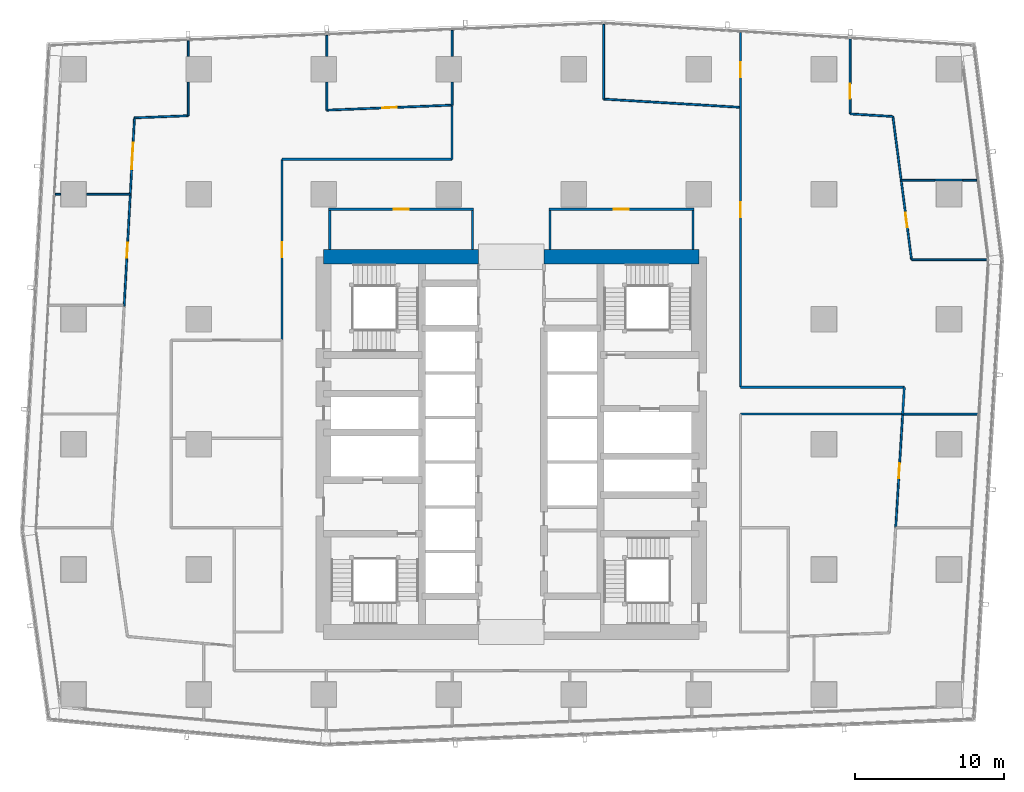
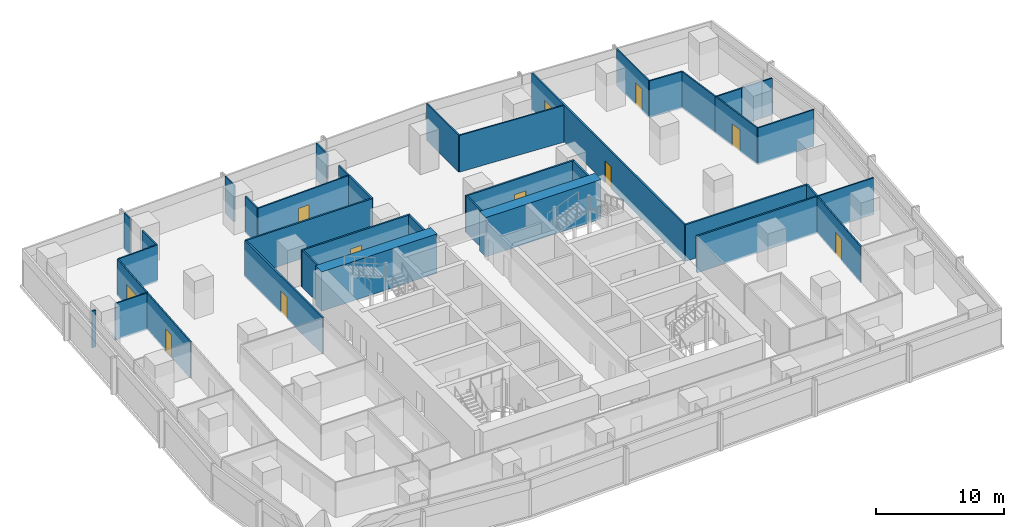
# One storey, part 31 of 40: 39 walls, 11 doors, 11 openings.
"""IFC4 building model written with IfcOpenShell, lengths in metres."""

from ifc_helpers import new_model, si_unit, direction, frame, frame_2d, origin, place, context, subcontext, project, spatial, rectangle, extrude, material, layer, layer_set, type_object, element, fill, save


model = new_model("IFC4")

# Units and contexts
model_context = context("Model", 3, precision=1e-05, world=origin(), true_north=direction((0.0, 1.0)))
body_context = subcontext(model_context, "Body", "Model", "MODEL_VIEW")
ifc_project = project(units=[si_unit("LENGTHUNIT", "METRE"), si_unit("AREAUNIT", "SQUARE_METRE"), si_unit("VOLUMEUNIT", "CUBIC_METRE"), si_unit("PLANEANGLEUNIT", "RADIAN"), si_unit("MASSUNIT", "GRAM", prefix="KILO")], contexts=[model_context])

# Site, building, storey
site_placement = place(None, origin())
site = spatial("IfcSite", under=ifc_project, at=site_placement, CompositionType="ELEMENT")
building_placement = place(site_placement, origin())
building = spatial("IfcBuilding", under=site, at=building_placement, Name="Rekha Terrace Tower", CompositionType="ELEMENT")
storey_placement = place(building_placement, frame((0.0, 0.0, 132.800048828125)))
storey = spatial("IfcBuildingStorey", under=building, at=storey_placement, Name="L33", CompositionType="ELEMENT", Elevation=132.800048828125)

# Walls
ifc_material_1 = material(Name="Concrete M70", Category="concrete")
ifc_layer_1 = layer(ifc_material_1, 1.0)
ifc_layer_set_1 = layer_set([ifc_layer_1], Name="Concrete M70")
wall_type_1 = type_object("IfcWallType", Name="SW2 1000 core outer shear wall", PredefinedType="SHEAR", material=ifc_layer_set_1)
wall_1_placement = place(storey_placement, frame((25.199951171875, 46.199951171875, 0.0), z_axis=(0.0, 0.0, 1.0), x_axis=(1.0, 0.0, 0.0)))
element("IfcWall", 1, at=wall_1_placement, inside=storey, type_object=wall_type_1, Name="Core wall N1 L33", PredefinedType="SHEAR", context=body_context, shape_type="SweptSolid", body=[
    extrude(rectangle(XDim=10.400146484375, YDim=1.0, at=frame_2d((5.2001953125, 0.0))), origin(), (0.0, 0.0, 1.0), 3.75),
])
wall_2_placement = place(storey_placement, frame((40.0, 46.199951171875, 0.0), z_axis=(0.0, 0.0, 1.0), x_axis=(1.0, 0.0, 0.0)))
element("IfcWall", 2, at=wall_2_placement, inside=storey, type_object=wall_type_1, Name="Core wall N2 L33", PredefinedType="SHEAR", context=body_context, shape_type="SweptSolid", body=[
    extrude(rectangle(XDim=10.39990234375, YDim=1.0, at=frame_2d((5.199951171875, 0.0))), origin(), (0.0, 0.0, 1.0), 3.75),
])

# Wall, opening, door
ifc_material_2 = material(Name="Concrete block masonry, 1 hour", Category="masonry")
ifc_layer_2 = layer(ifc_material_2, 0.14990234375)
ifc_layer_set_2 = layer_set([ifc_layer_2], Name="Concrete block masonry, 1 hour")
wall_type_2 = type_object("IfcWallType", Name="WP2 150 tenancy partition", PredefinedType="PARTITIONING", material=ifc_layer_set_2)
wall_3_placement = place(storey_placement, frame((40.324951171875, 49.39990234375, 0.0), z_axis=(0.0, 0.0, 1.0), x_axis=(1.0, 0.0, 0.0)))
wall_3 = element("IfcWall", 3, at=wall_3_placement, inside=storey, type_object=wall_type_2, Name="Women's WC wall L33", PredefinedType="PARTITIONING", context=body_context, shape_type="SweptSolid", body=[
    extrude(rectangle(XDim=9.75, YDim=0.14990234375, at=frame_2d((4.875, 0.0))), origin(), (0.0, 0.0, 1.0), 3.5),
])
opening_1_placement = place(wall_3_placement, frame((4.375, 0.0, 0.0)))
opening_1 = element("IfcOpeningElement", 4, at=opening_1_placement, cuts=wall_3, Name="Opening D3", PredefinedType="OPENING", context=body_context, shape_type="SweptSolid", body=[
    extrude(rectangle(XDim=1.0, YDim=2.10009765625, at=frame_2d((0.5, 1.050048828125))), frame((0.0, 0.0849609375, 0.0), z_axis=(0.0, -1.0, 0.0), x_axis=(1.0, 0.0, 0.0)), (0.0, 0.0, 1.0), 0.169921875),
])
ifc_material_3 = material(Name="Laminated timber fire door", Category="wood")
door_type_1 = type_object("IfcDoorType", Name="D3 1000x2100 WC door", OperationType="SINGLE_SWING_LEFT", PredefinedType="DOOR", material=ifc_material_3)
door_1_placement = place(opening_1_placement, origin())
door_1 = element("IfcDoor", 5, at=door_1_placement, inside=storey, type_object=door_type_1, Name="Door women's wc L33", OperationType="SINGLE_SWING_LEFT", OverallHeight=2.10009765625, OverallWidth=1.0, PredefinedType="DOOR", context=body_context, shape_type="SweptSolid", body=[
    extrude(rectangle(XDim=1.0, YDim=2.10009765625, at=frame_2d((0.5, 1.050048828125))), frame((0.0, 0.02490234375, 0.0), z_axis=(0.0, -1.0, 0.0), x_axis=(1.0, 0.0, 0.0)), (0.0, 0.0, 1.0), 0.050048828125),
])
fill(opening_1, door_1)

# Walls
for number, where, z_axis, x_axis, name in (
    (6, (40.39990234375, 46.699951171875, 0.0), (0.0, 0.0, 1.0), (0.0, 1.0, 0.0), "Women's WC wall L33"),
    (7, (50.0, 46.699951171875, 0.0), (0.0, 0.0, 1.0), (0.0, 1.0, 0.0), "Women's WC wall L33"),
):
    element("IfcWall", number, at=place(storey_placement, frame(where, z_axis=z_axis, x_axis=x_axis)), inside=storey, type_object=wall_type_2, Name=name, PredefinedType="PARTITIONING", context=body_context, shape_type="SweptSolid", body=[
        extrude(rectangle(XDim=2.625, YDim=0.14990234375, at=frame_2d((1.3125, 0.0))), origin(), (0.0, 0.0, 1.0), 3.5),
    ])

# Wall, opening, door
wall_4_placement = place(storey_placement, frame((25.52490234375, 49.39990234375, 0.0), z_axis=(0.0, 0.0, 1.0), x_axis=(1.0, 0.0, 0.0)))
wall_4 = element("IfcWall", 8, at=wall_4_placement, inside=storey, type_object=wall_type_2, Name="Women's WC wall L33", PredefinedType="PARTITIONING", context=body_context, shape_type="SweptSolid", body=[
    extrude(rectangle(XDim=9.75, YDim=0.14990234375, at=frame_2d((4.875, 0.0))), origin(), (0.0, 0.0, 1.0), 3.5),
])
opening_2_placement = place(wall_4_placement, frame((4.375, 0.0, 0.0)))
opening_2 = element("IfcOpeningElement", 9, at=opening_2_placement, cuts=wall_4, Name="Opening D3", PredefinedType="OPENING", context=body_context, shape_type="SweptSolid", body=[
    extrude(rectangle(XDim=1.0, YDim=2.10009765625, at=frame_2d((0.5, 1.050048828125))), frame((0.0, 0.0849609375, 0.0), z_axis=(0.0, -1.0, 0.0), x_axis=(1.0, 0.0, 0.0)), (0.0, 0.0, 1.0), 0.169921875),
])
door_2_placement = place(opening_2_placement, origin())
door_2 = element("IfcDoor", 10, at=door_2_placement, inside=storey, type_object=door_type_1, Name="Door women's wc L33", OperationType="SINGLE_SWING_LEFT", OverallHeight=2.10009765625, OverallWidth=1.0, PredefinedType="DOOR", context=body_context, shape_type="SweptSolid", body=[
    extrude(rectangle(XDim=1.0, YDim=2.10009765625, at=frame_2d((0.5, 1.050048828125))), frame((0.0, 0.02490234375, 0.0), z_axis=(0.0, -1.0, 0.0), x_axis=(1.0, 0.0, 0.0)), (0.0, 0.0, 1.0), 0.050048828125),
])
fill(opening_2, door_2)

# Walls
for number, where, z_axis, x_axis, name in (
    (11, (25.60009765625, 46.699951171875, 0.0), (0.0, 0.0, 1.0), (0.0, 1.0, 0.0), "Women's WC wall L33"),
    (12, (35.199951171875, 46.699951171875, 0.0), (0.0, 0.0, 1.0), (0.0, 1.0, 0.0), "Women's WC wall L33"),
):
    element("IfcWall", number, at=place(storey_placement, frame(where, z_axis=z_axis, x_axis=x_axis)), inside=storey, type_object=wall_type_2, Name=name, PredefinedType="PARTITIONING", context=body_context, shape_type="SweptSolid", body=[
        extrude(rectangle(XDim=2.625, YDim=0.14990234375, at=frame_2d((1.3125, 0.0))), origin(), (0.0, 0.0, 1.0), 3.5),
    ])
wall_5_placement = place(storey_placement, frame((64.093017578125, 35.636962890625, 0.0), z_axis=(0.0, 0.0, 1.0), x_axis=(0.060920139636, 0.998142643407, 0.0)))
element("IfcWall", 13, at=wall_5_placement, inside=storey, type_object=wall_type_2, Name="Partition L33-O1", PredefinedType="PARTITIONING", context=body_context, shape_type="SweptSolid", body=[
    extrude(rectangle(XDim=1.803466796875, YDim=0.14990234375, at=frame_2d((0.90185546875, 0.0))), origin(), (0.0, 0.0, 1.0), 3.5),
])
wall_6_placement = place(storey_placement, frame((64.202880859375, 37.43701171875, 0.0), z_axis=(0.0, 0.0, 1.0), x_axis=(-1.0, 0.0, 0.0)))
element("IfcWall", 14, at=wall_6_placement, inside=storey, type_object=wall_type_2, Name="Partition L33-O1", PredefinedType="PARTITIONING", context=body_context, shape_type="SweptSolid", body=[
    extrude(rectangle(XDim=11.001953125, YDim=0.14990234375, at=frame_2d((5.5009765625, 0.0))), origin(), (0.0, 0.0, 1.0), 3.5),
])

# Wall, openings, doors
wall_7_placement = place(storey_placement, frame((53.200927734375, 37.43701171875, 0.0), z_axis=(0.0, 0.0, 1.0), x_axis=(0.0, 1.0, 0.0)))
wall_7 = element("IfcWall", 15, at=wall_7_placement, inside=storey, type_object=wall_type_2, Name="Partition L33-O1", PredefinedType="PARTITIONING", context=body_context, shape_type="SweptSolid", body=[
    extrude(rectangle(XDim=23.83203125, YDim=0.14990234375, at=frame_2d((11.916015625, 0.0))), origin(), (0.0, 0.0, 1.0), 3.5),
])
opening_3_placement = place(wall_7_placement, frame((11.416015625, 0.0, 0.0)))
opening_3 = element("IfcOpeningElement", 16, at=opening_3_placement, cuts=wall_7, Name="Opening D9", PredefinedType="OPENING", context=body_context, shape_type="SweptSolid", body=[
    extrude(rectangle(XDim=1.0, YDim=2.10009765625, at=frame_2d((0.5, 1.050048828125))), frame((0.0, 0.0849609375, 0.0), z_axis=(0.0, -1.0, 0.0), x_axis=(1.0, 0.0, 0.0)), (0.0, 0.0, 1.0), 0.169921875),
])
opening_4_placement = place(wall_7_placement, frame((20.818115234375, 0.0, 0.0)))
opening_4 = element("IfcOpeningElement", 17, at=opening_4_placement, cuts=wall_7, Name="Opening D9", PredefinedType="OPENING", context=body_context, shape_type="SweptSolid", body=[
    extrude(rectangle(XDim=1.0, YDim=2.10009765625, at=frame_2d((0.5, 1.050048828125))), frame((0.0, 0.0849609375, 0.0), z_axis=(0.0, -1.0, 0.0), x_axis=(1.0, 0.0, 0.0)), (0.0, 0.0, 1.0), 0.169921875),
])
ifc_material_4 = material(Name="Timber fire door", Category="wood")
door_type_2 = type_object("IfcDoorType", Name="D9 1000x2100 office door", OperationType="SINGLE_SWING_LEFT", PredefinedType="DOOR", material=ifc_material_4)
door_3_placement = place(opening_3_placement, origin())
door_3 = element("IfcDoor", 18, at=door_3_placement, inside=storey, type_object=door_type_2, Name="Door open-plan office L33", OperationType="SINGLE_SWING_LEFT", OverallHeight=2.10009765625, OverallWidth=1.0, PredefinedType="DOOR", context=body_context, shape_type="SweptSolid", body=[
    extrude(rectangle(XDim=1.0, YDim=2.10009765625, at=frame_2d((0.5, 1.050048828125))), frame((0.0, 0.02490234375, 0.0), z_axis=(0.0, -1.0, 0.0), x_axis=(1.0, 0.0, 0.0)), (0.0, 0.0, 1.0), 0.050048828125),
])
fill(opening_3, door_3)
door_4_placement = place(opening_4_placement, origin())
door_4 = element("IfcDoor", 19, at=door_4_placement, inside=storey, type_object=door_type_2, Name="Door office L33", OperationType="SINGLE_SWING_LEFT", OverallHeight=2.10009765625, OverallWidth=1.0, PredefinedType="DOOR", context=body_context, shape_type="SweptSolid", body=[
    extrude(rectangle(XDim=1.0, YDim=2.10009765625, at=frame_2d((0.5, 1.050048828125))), frame((0.0, 0.02490234375, 0.0), z_axis=(0.0, -1.0, 0.0), x_axis=(1.0, 0.0, 0.0)), (0.0, 0.0, 1.0), 0.050048828125),
])
fill(opening_4, door_4)

# Walls
wall_8_placement = place(storey_placement, frame((66.260009765625, 51.35498046875, 0.0), z_axis=(0.0, 0.0, 1.0), x_axis=(1.0, 0.0, 0.0)))
element("IfcWall", 20, at=wall_8_placement, inside=storey, type_object=wall_type_2, Name="Partition L33-O1", PredefinedType="PARTITIONING", context=body_context, shape_type="SweptSolid", body=[
    extrude(rectangle(XDim=1.8798828125, YDim=0.14990234375, at=frame_2d((0.93994140625, 0.0))), origin(), (0.0, 0.0, 1.0), 3.5),
])
wall_9_placement = place(storey_placement, frame((53.199951171875, 35.636962890625, 0.0), z_axis=(0.0, 0.0, 1.0), x_axis=(1.0, 0.0, 0.0)))
element("IfcWall", 21, at=wall_9_placement, inside=storey, type_object=wall_type_2, Name="Partition L33-O1", PredefinedType="PARTITIONING", context=body_context, shape_type="SweptSolid", body=[
    extrude(rectangle(XDim=10.89306640625, YDim=0.14990234375, at=frame_2d((5.446533203125, 0.0))), origin(), (0.0, 0.0, 1.0), 3.5),
])
wall_10_placement = place(storey_placement, frame((33.825927734375, 56.323974609375, 0.0), z_axis=(0.0, 0.0, 1.0), x_axis=(0.0, -1.0, 0.0)))
element("IfcWall", 22, at=wall_10_placement, inside=storey, type_object=wall_type_2, Name="Partition L33-O2", PredefinedType="PARTITIONING", context=body_context, shape_type="SweptSolid", body=[
    extrude(rectangle(XDim=3.573974609375, YDim=0.14990234375, at=frame_2d((1.787109375, 0.0))), origin(), (0.0, 0.0, 1.0), 3.5),
])
wall_11_placement = place(storey_placement, frame((33.825927734375, 52.75, 0.0), z_axis=(0.0, 0.0, 1.0), x_axis=(-1.0, 0.0, 0.0)))
element("IfcWall", 23, at=wall_11_placement, inside=storey, type_object=wall_type_2, Name="Partition L33-O2", PredefinedType="PARTITIONING", context=body_context, shape_type="SweptSolid", body=[
    extrude(rectangle(XDim=11.426025390625, YDim=0.14990234375, at=frame_2d((5.712890625, 0.0))), origin(), (0.0, 0.0, 1.0), 3.5),
])

# Wall, opening, door
wall_12_placement = place(storey_placement, frame((22.39990234375, 52.75, 0.0), z_axis=(0.0, 0.0, 1.0), x_axis=(0.0, -1.0, 0.0)))
wall_12 = element("IfcWall", 24, at=wall_12_placement, inside=storey, type_object=wall_type_2, Name="Partition L33-O2", PredefinedType="PARTITIONING", context=body_context, shape_type="SweptSolid", body=[
    extrude(rectangle(XDim=12.14990234375, YDim=0.14990234375, at=frame_2d((6.074951171875, 0.0))), origin(), (0.0, 0.0, 1.0), 3.5),
])
opening_5_placement = place(wall_12_placement, frame((5.574951171875, 0.0, 0.0)))
opening_5 = element("IfcOpeningElement", 25, at=opening_5_placement, cuts=wall_12, Name="Opening D9", PredefinedType="OPENING", context=body_context, shape_type="SweptSolid", body=[
    extrude(rectangle(XDim=1.0, YDim=2.10009765625, at=frame_2d((0.5, 1.050048828125))), frame((0.0, 0.0849609375, 0.0), z_axis=(0.0, -1.0, 0.0), x_axis=(1.0, 0.0, 0.0)), (0.0, 0.0, 1.0), 0.169921875),
])
door_5_placement = place(opening_5_placement, origin())
door_5 = element("IfcDoor", 26, at=door_5_placement, inside=storey, type_object=door_type_2, Name="Door open-plan office L33", OperationType="SINGLE_SWING_LEFT", OverallHeight=2.10009765625, OverallWidth=1.0, PredefinedType="DOOR", context=body_context, shape_type="SweptSolid", body=[
    extrude(rectangle(XDim=1.0, YDim=2.10009765625, at=frame_2d((0.5, 1.050048828125))), frame((0.0, 0.02490234375, 0.0), z_axis=(0.0, -1.0, 0.0), x_axis=(1.0, 0.0, 0.0)), (0.0, 0.0, 1.0), 0.050048828125),
])
fill(opening_5, door_5)

ifc_material_5 = material(Name="Two layers of fire-rated gypsum board each side on steel studs, acoustic quilt, 1 hour", Category="steel")
ifc_layer_3 = layer(ifc_material_5, 0.125)
ifc_layer_set_3 = layer_set([ifc_layer_3], Name="Two layers of fire-rated gypsum board each side on steel studs, acoustic quilt, 1 hour")
wall_type_3 = type_object("IfcWallType", Name="WP3 125 office partition", PredefinedType="PARTITIONING", material=ifc_layer_set_3)
wall_13_placement = place(storey_placement, frame((63.625, 27.9970703125, 0.0), z_axis=(0.0, 0.0, 1.0), x_axis=(0.061176245149, 0.998126979412, 0.0)))
wall_13 = element("IfcWall", 27, at=wall_13_placement, inside=storey, type_object=wall_type_3, Name="Partition L33-05", PredefinedType="PARTITIONING", context=body_context, shape_type="SweptSolid", body=[
    extrude(rectangle(XDim=7.650390625, YDim=0.125, at=frame_2d((3.8251953125, 0.0))), origin(), (0.0, 0.0, 1.0), 3.5),
])
opening_6_placement = place(wall_13_placement, frame((3.324951171875, 0.0, 0.0)))
opening_6 = element("IfcOpeningElement", 28, at=opening_6_placement, cuts=wall_13, Name="Opening D9", PredefinedType="OPENING", context=body_context, shape_type="SweptSolid", body=[
    extrude(rectangle(XDim=1.0, YDim=2.10009765625, at=frame_2d((0.5, 1.050048828125))), frame((0.0, 0.072509765625, 0.0), z_axis=(0.0, -1.0, 0.0), x_axis=(1.0, 0.0, 0.0)), (0.0, 0.0, 1.0), 0.14501953125),
])
door_6_placement = place(opening_6_placement, origin())
door_6 = element("IfcDoor", 29, at=door_6_placement, inside=storey, type_object=door_type_2, Name="Door office L33", OperationType="SINGLE_SWING_LEFT", OverallHeight=2.10009765625, OverallWidth=1.0, PredefinedType="DOOR", context=body_context, shape_type="SweptSolid", body=[
    extrude(rectangle(XDim=1.0, YDim=2.10009765625, at=frame_2d((0.5, 1.050048828125))), frame((0.0, 0.02490234375, 0.0), z_axis=(0.0, -1.0, 0.0), x_axis=(1.0, 0.0, 0.0)), (0.0, 0.0, 1.0), 0.050048828125),
])
fill(opening_6, door_6)

# Walls
wall_14_placement = place(storey_placement, frame((64.093017578125, 35.633056640625, 0.0), z_axis=(0.0, 0.0, 1.0), x_axis=(1.0, 0.0, 0.0)))
element("IfcWall", 30, at=wall_14_placement, inside=storey, type_object=wall_type_3, Name="Partition L33-05", PredefinedType="PARTITIONING", context=body_context, shape_type="SweptSolid", body=[
    extrude(rectangle(XDim=5.05908203125, YDim=0.125, at=frame_2d((2.529541015625, 0.0))), origin(), (0.0, 0.0, 1.0), 3.5),
])
wall_15_placement = place(storey_placement, frame((69.7509765625, 46.00390625, 0.0), z_axis=(0.0, 0.0, 1.0), x_axis=(-1.0, 0.0, 0.0)))
element("IfcWall", 31, at=wall_15_placement, inside=storey, type_object=wall_type_3, Name="Partition L33-06", PredefinedType="PARTITIONING", context=body_context, shape_type="SweptSolid", body=[
    extrude(rectangle(XDim=5.06201171875, YDim=0.125, at=frame_2d((2.531005859375, 0.0))), origin(), (0.0, 0.0, 1.0), 3.5),
])

# Wall, opening, door
wall_16_placement = place(storey_placement, frame((64.68896484375, 46.00390625, 0.0), z_axis=(0.0, 0.0, 1.0), x_axis=(-0.129216941745, 0.991616348174, 0.0)))
wall_16 = element("IfcWall", 32, at=wall_16_placement, inside=storey, type_object=wall_type_3, Name="Partition L33-06", PredefinedType="PARTITIONING", context=body_context, shape_type="SweptSolid", body=[
    extrude(rectangle(XDim=5.379150390625, YDim=0.125, at=frame_2d((2.689453125, 0.0))), origin(), (0.0, 0.0, 1.0), 3.5),
])
opening_7_placement = place(wall_16_placement, frame((2.18994140625, 0.0, 0.0)))
opening_7 = element("IfcOpeningElement", 33, at=opening_7_placement, cuts=wall_16, Name="Opening D9", PredefinedType="OPENING", context=body_context, shape_type="SweptSolid", body=[
    extrude(rectangle(XDim=1.0, YDim=2.10009765625, at=frame_2d((0.5, 1.050048828125))), frame((0.0, 0.072509765625, 0.0), z_axis=(0.0, -1.0, 0.0), x_axis=(1.0, 0.0, 0.0)), (0.0, 0.0, 1.0), 0.14501953125),
])
door_7_placement = place(opening_7_placement, origin())
door_7 = element("IfcDoor", 34, at=door_7_placement, inside=storey, type_object=door_type_2, Name="Door office L33", OperationType="SINGLE_SWING_LEFT", OverallHeight=2.10009765625, OverallWidth=1.0, PredefinedType="DOOR", context=body_context, shape_type="SweptSolid", body=[
    extrude(rectangle(XDim=1.0, YDim=2.10009765625, at=frame_2d((0.5, 1.050048828125))), frame((0.0, 0.02490234375, 0.0), z_axis=(0.0, -1.0, 0.0), x_axis=(1.0, 0.0, 0.0)), (0.0, 0.0, 1.0), 0.050048828125),
])
fill(opening_7, door_7)

# Walls
wall_17_placement = place(storey_placement, frame((63.993896484375, 51.337890625, 0.0), z_axis=(0.0, 0.0, 1.0), x_axis=(1.0, 0.0, 0.0)))
element("IfcWall", 35, at=wall_17_placement, inside=storey, type_object=wall_type_3, Name="Partition L33-06", PredefinedType="PARTITIONING", context=body_context, shape_type="SweptSolid", body=[
    extrude(rectangle(XDim=2.26611328125, YDim=0.125, at=frame_2d((1.133056640625, 0.0))), origin(), (0.0, 0.0, 1.0), 3.5),
])
wall_18_placement = place(storey_placement, frame((68.139892578125, 51.337890625, 0.0), z_axis=(0.0, 0.0, 1.0), x_axis=(1.0, 0.0, 0.0)))
element("IfcWall", 36, at=wall_18_placement, inside=storey, type_object=wall_type_3, Name="Partition L33-06", PredefinedType="PARTITIONING", context=body_context, shape_type="SweptSolid", body=[
    extrude(rectangle(XDim=0.9169921875, YDim=0.125, at=frame_2d((0.45849609375, 0.0))), origin(), (0.0, 0.0, 1.0), 3.5),
])

# Wall, opening, door
wall_19_placement = place(storey_placement, frame((60.56201171875, 55.798095703125, 0.0), z_axis=(0.0, 0.0, 1.0), x_axis=(0.0, 1.0, 0.0)))
wall_19 = element("IfcWall", 37, at=wall_19_placement, inside=storey, type_object=wall_type_3, Name="Partition L33-07", PredefinedType="PARTITIONING", context=body_context, shape_type="SweptSolid", body=[
    extrude(rectangle(XDim=5.02880859375, YDim=0.125, at=frame_2d((2.514404296875, 0.0))), origin(), (0.0, 0.0, 1.0), 3.5),
])
opening_8_placement = place(wall_19_placement, frame((1.013916015625, 0.0, 0.0)))
opening_8 = element("IfcOpeningElement", 38, at=opening_8_placement, cuts=wall_19, Name="Opening D9", PredefinedType="OPENING", context=body_context, shape_type="SweptSolid", body=[
    extrude(rectangle(XDim=1.0, YDim=2.10009765625, at=frame_2d((0.5, 1.050048828125))), frame((0.0, 0.072509765625, 0.0), z_axis=(0.0, -1.0, 0.0), x_axis=(1.0, 0.0, 0.0)), (0.0, 0.0, 1.0), 0.14501953125),
])
door_8_placement = place(opening_8_placement, origin())
door_8 = element("IfcDoor", 39, at=door_8_placement, inside=storey, type_object=door_type_2, Name="Door director's office L33", OperationType="SINGLE_SWING_LEFT", OverallHeight=2.10009765625, OverallWidth=1.0, PredefinedType="DOOR", context=body_context, shape_type="SweptSolid", body=[
    extrude(rectangle(XDim=1.0, YDim=2.10009765625, at=frame_2d((0.5, 1.050048828125))), frame((0.0, 0.02490234375, 0.0), z_axis=(0.0, -1.0, 0.0), x_axis=(1.0, 0.0, 0.0)), (0.0, 0.0, 1.0), 0.050048828125),
])
fill(opening_8, door_8)

# Walls
wall_20_placement = place(storey_placement, frame((63.993896484375, 51.339111328125, 0.0), z_axis=(0.0, 0.0, 1.0), x_axis=(-0.129073541997, 0.991635023966, 0.0)))
element("IfcWall", 40, at=wall_20_placement, inside=storey, type_object=wall_type_3, Name="Partition L33-07", PredefinedType="PARTITIONING", context=body_context, shape_type="SweptSolid", body=[
    extrude(rectangle(XDim=4.322021484375, YDim=0.125, at=frame_2d((2.1611328125, 0.0))), origin(), (0.0, 0.0, 1.0), 3.5),
])
wall_21_placement = place(storey_placement, frame((63.43603515625, 55.625, 0.0), z_axis=(0.0, 0.0, 1.0), x_axis=(-0.998191233869, 0.060118721102, 0.0)))
element("IfcWall", 41, at=wall_21_placement, inside=storey, type_object=wall_type_3, Name="Partition L33-07", PredefinedType="PARTITIONING", context=body_context, shape_type="SweptSolid", body=[
    extrude(rectangle(XDim=2.879150390625, YDim=0.125, at=frame_2d((1.439453125, 0.0))), origin(), (0.0, 0.0, 1.0), 3.5),
])
wall_22_placement = place(storey_placement, frame((53.1259765625, 56.243896484375, 0.0), z_axis=(0.0, 0.0, 1.0), x_axis=(-0.998193391512, 0.060082885599, 0.0)))
element("IfcWall", 42, at=wall_22_placement, inside=storey, type_object=wall_type_3, Name="Partition L33-10", PredefinedType="PARTITIONING", context=body_context, shape_type="SweptSolid", body=[
    extrude(rectangle(XDim=9.138671875, YDim=0.125, at=frame_2d((4.5693359375, 0.0))), origin(), (0.0, 0.0, 1.0), 3.5),
])
wall_23_placement = place(storey_placement, frame((44.00390625, 56.79296875, 0.0), z_axis=(0.0, 0.0, 1.0), x_axis=(0.0, 1.0, 0.0)))
element("IfcWall", 43, at=wall_23_placement, inside=storey, type_object=wall_type_3, Name="Partition L33-10", PredefinedType="PARTITIONING", context=body_context, shape_type="SweptSolid", body=[
    extrude(rectangle(XDim=5.026123046875, YDim=0.125, at=frame_2d((2.51318359375, 0.0))), origin(), (0.0, 0.0, 1.0), 3.5),
])

# Wall, opening, door
wall_24_placement = place(storey_placement, frame((33.826904296875, 56.386962890625, 0.0), z_axis=(0.0, 0.0, 1.0), x_axis=(-0.999199058446, -0.04001551701, 0.0)))
wall_24 = element("IfcWall", 44, at=wall_24_placement, inside=storey, type_object=wall_type_3, Name="Partition L33-11", PredefinedType="PARTITIONING", context=body_context, shape_type="SweptSolid", body=[
    extrude(rectangle(XDim=8.419677734375, YDim=0.125, at=frame_2d((4.2099609375, 0.0))), origin(), (0.0, 0.0, 1.0), 3.5),
])
opening_9_placement = place(wall_24_placement, frame((3.7099609375, 0.0, 0.0)))
opening_9 = element("IfcOpeningElement", 45, at=opening_9_placement, cuts=wall_24, Name="Opening D9", PredefinedType="OPENING", context=body_context, shape_type="SweptSolid", body=[
    extrude(rectangle(XDim=1.0, YDim=2.10009765625, at=frame_2d((0.5, 1.050048828125))), frame((0.0, 0.072509765625, 0.0), z_axis=(0.0, -1.0, 0.0), x_axis=(1.0, 0.0, 0.0)), (0.0, 0.0, 1.0), 0.14501953125),
])
door_9_placement = place(opening_9_placement, origin())
door_9 = element("IfcDoor", 46, at=door_9_placement, inside=storey, type_object=door_type_2, Name="Door office L33", OperationType="SINGLE_SWING_LEFT", OverallHeight=2.10009765625, OverallWidth=1.0, PredefinedType="DOOR", context=body_context, shape_type="SweptSolid", body=[
    extrude(rectangle(XDim=1.0, YDim=2.10009765625, at=frame_2d((0.5, 1.050048828125))), frame((0.0, 0.02490234375, 0.0), z_axis=(0.0, -1.0, 0.0), x_axis=(1.0, 0.0, 0.0)), (0.0, 0.0, 1.0), 0.050048828125),
])
fill(opening_9, door_9)

# Walls
wall_25_placement = place(storey_placement, frame((25.4140625, 56.050048828125, 0.0), z_axis=(0.0, 0.0, 1.0), x_axis=(0.0, 1.0, 0.0)))
element("IfcWall", 47, at=wall_25_placement, inside=storey, type_object=wall_type_3, Name="Partition L33-11", PredefinedType="PARTITIONING", context=body_context, shape_type="SweptSolid", body=[
    extrude(rectangle(XDim=1.8798828125, YDim=0.125, at=frame_2d((0.93994140625, 0.0))), origin(), (0.0, 0.0, 1.0), 3.5),
])
wall_26_placement = place(storey_placement, frame((25.4140625, 59.669921875, 0.0), z_axis=(0.0, 0.0, 1.0), x_axis=(0.0, 1.0, 0.0)))
element("IfcWall", 48, at=wall_26_placement, inside=storey, type_object=wall_type_3, Name="Partition L33-11", PredefinedType="PARTITIONING", context=body_context, shape_type="SweptSolid", body=[
    extrude(rectangle(XDim=1.404052734375, YDim=0.125, at=frame_2d((0.7021484375, 0.0))), origin(), (0.0, 0.0, 1.0), 3.5),
])
wall_27_placement = place(storey_placement, frame((33.826904296875, 61.410888671875, 0.0), z_axis=(0.0, 0.0, 1.0), x_axis=(0.0, -1.0, 0.0)))
element("IfcWall", 49, at=wall_27_placement, inside=storey, type_object=wall_type_3, Name="Partition L33-11", PredefinedType="PARTITIONING", context=body_context, shape_type="SweptSolid", body=[
    extrude(rectangle(XDim=1.740966796875, YDim=0.125, at=frame_2d((0.87060546875, 0.0))), origin(), (0.0, 0.0, 1.0), 3.5),
])
wall_28_placement = place(storey_placement, frame((33.826904296875, 57.929931640625, 0.0), z_axis=(0.0, 0.0, 1.0), x_axis=(0.0, -1.0, 0.0)))
element("IfcWall", 50, at=wall_28_placement, inside=storey, type_object=wall_type_3, Name="Partition L33-11", PredefinedType="PARTITIONING", context=body_context, shape_type="SweptSolid", body=[
    extrude(rectangle(XDim=1.54296875, YDim=0.125, at=frame_2d((0.771484375, 0.0))), origin(), (0.0, 0.0, 1.0), 3.5),
])
wall_29_placement = place(storey_placement, frame((16.10107421875, 60.699951171875, 0.0), z_axis=(0.0, 0.0, 1.0), x_axis=(0.0, -1.0, 0.0)))
element("IfcWall", 51, at=wall_29_placement, inside=storey, type_object=wall_type_3, Name="Partition L33-12", PredefinedType="PARTITIONING", context=body_context, shape_type="SweptSolid", body=[
    extrude(rectangle(XDim=1.030029296875, YDim=0.125, at=frame_2d((0.51513671875, 0.0))), origin(), (0.0, 0.0, 1.0), 3.5),
])
wall_30_placement = place(storey_placement, frame((16.10107421875, 57.929931640625, 0.0), z_axis=(0.0, 0.0, 1.0), x_axis=(0.0, -1.0, 0.0)))
element("IfcWall", 52, at=wall_30_placement, inside=storey, type_object=wall_type_3, Name="Partition L33-12", PredefinedType="PARTITIONING", context=body_context, shape_type="SweptSolid", body=[
    extrude(rectangle(XDim=2.25390625, YDim=0.125, at=frame_2d((1.126953125, 0.0))), origin(), (0.0, 0.0, 1.0), 3.5),
])
wall_31_placement = place(storey_placement, frame((16.10107421875, 55.676025390625, 0.0), z_axis=(0.0, 0.0, 1.0), x_axis=(-0.999204947676, -0.039868189567, 0.0)))
element("IfcWall", 53, at=wall_31_placement, inside=storey, type_object=wall_type_3, Name="Partition L33-12", PredefinedType="PARTITIONING", context=body_context, shape_type="SweptSolid", body=[
    extrude(rectangle(XDim=3.613037109375, YDim=0.125, at=frame_2d((1.806640625, 0.0))), origin(), (0.0, 0.0, 1.0), 3.5),
])

# Wall, opening, door
wall_32_placement = place(storey_placement, frame((12.490966796875, 55.531982421875, 0.0), z_axis=(0.0, 0.0, 1.0), x_axis=(-0.054706604425, -0.998502472422, 0.0)))
wall_32 = element("IfcWall", 54, at=wall_32_placement, inside=storey, type_object=wall_type_3, Name="Partition L33-12", PredefinedType="PARTITIONING", context=body_context, shape_type="SweptSolid", body=[
    extrude(rectangle(XDim=5.13671875, YDim=0.125, at=frame_2d((2.568359375, 0.0))), origin(), (0.0, 0.0, 1.0), 3.5),
])
opening_10_placement = place(wall_32_placement, frame((1.66796875, 0.0, 0.0)))
opening_10 = element("IfcOpeningElement", 55, at=opening_10_placement, cuts=wall_32, Name="Opening D8", PredefinedType="OPENING", context=body_context, shape_type="SweptSolid", body=[
    extrude(rectangle(XDim=1.800048828125, YDim=2.10009765625, at=frame_2d((0.89990234375, 1.050048828125))), frame((0.0, 0.072509765625, 0.0), z_axis=(0.0, -1.0, 0.0), x_axis=(1.0, 0.0, 0.0)), (0.0, 0.0, 1.0), 0.14501953125),
])
door_type_3 = type_object("IfcDoorType", Name="D8 1800x2100 double leaf door", OperationType="DOUBLE_DOOR_SINGLE_SWING", PredefinedType="DOOR", material=ifc_material_4)
door_10_placement = place(opening_10_placement, origin())
door_10 = element("IfcDoor", 56, at=door_10_placement, inside=storey, type_object=door_type_3, Name="Door board meeting room L33", OperationType="DOUBLE_DOOR_SINGLE_SWING", OverallHeight=2.10009765625, OverallWidth=1.800048828125, PredefinedType="DOOR", context=body_context, shape_type="SweptSolid", body=[
    extrude(rectangle(XDim=1.800048828125, YDim=2.10009765625, at=frame_2d((0.89990234375, 1.050048828125))), frame((0.0, 0.02490234375, 0.0), z_axis=(0.0, -1.0, 0.0), x_axis=(1.0, 0.0, 0.0)), (0.0, 0.0, 1.0), 0.050048828125),
])
fill(opening_10, door_10)

# Walls
wall_33_placement = place(storey_placement, frame((12.2099609375, 50.403076171875, 0.0), z_axis=(0.0, 0.0, 1.0), x_axis=(-1.0, 0.0, 0.0)))
element("IfcWall", 57, at=wall_33_placement, inside=storey, type_object=wall_type_3, Name="Partition L33-12", PredefinedType="PARTITIONING", context=body_context, shape_type="SweptSolid", body=[
    extrude(rectangle(XDim=2.93994140625, YDim=0.125, at=frame_2d((1.469970703125, 0.0))), origin(), (0.0, 0.0, 1.0), 3.5),
])
wall_34_placement = place(storey_placement, frame((7.530029296875, 50.403076171875, 0.0), z_axis=(0.0, 0.0, 1.0), x_axis=(-1.0, 0.0, 0.0)))
element("IfcWall", 58, at=wall_34_placement, inside=storey, type_object=wall_type_3, Name="Partition L33-12", PredefinedType="PARTITIONING", context=body_context, shape_type="SweptSolid", body=[
    extrude(rectangle(XDim=0.346923828125, YDim=0.125, at=frame_2d((0.17333984375, 0.0))), origin(), (0.0, 0.0, 1.0), 3.5),
])

# Wall, opening, door
wall_35_placement = place(storey_placement, frame((12.2099609375, 50.402099609375, 0.0), z_axis=(0.0, 0.0, 1.0), x_axis=(-0.054750918435, -0.998500043531, 0.0)))
wall_35 = element("IfcWall", 59, at=wall_35_placement, inside=storey, type_object=wall_type_3, Name="Partition L33-13", PredefinedType="PARTITIONING", context=body_context, shape_type="SweptSolid", body=[
    extrude(rectangle(XDim=7.540283203125, YDim=0.125, at=frame_2d((3.77001953125, 0.0))), origin(), (0.0, 0.0, 1.0), 3.5),
])
opening_11_placement = place(wall_35_placement, frame((3.27001953125, 0.0, 0.0)))
opening_11 = element("IfcOpeningElement", 60, at=opening_11_placement, cuts=wall_35, Name="Opening D9", PredefinedType="OPENING", context=body_context, shape_type="SweptSolid", body=[
    extrude(rectangle(XDim=1.0, YDim=2.10009765625, at=frame_2d((0.5, 1.050048828125))), frame((0.0, 0.072509765625, 0.0), z_axis=(0.0, -1.0, 0.0), x_axis=(1.0, 0.0, 0.0)), (0.0, 0.0, 1.0), 0.14501953125),
])
door_11_placement = place(opening_11_placement, origin())
door_11 = element("IfcDoor", 61, at=door_11_placement, inside=storey, type_object=door_type_2, Name="Door breakout lounge L33", OperationType="SINGLE_SWING_LEFT", OverallHeight=2.10009765625, OverallWidth=1.0, PredefinedType="DOOR", context=body_context, shape_type="SweptSolid", body=[
    extrude(rectangle(XDim=1.0, YDim=2.10009765625, at=frame_2d((0.5, 1.050048828125))), frame((0.0, 0.02490234375, 0.0), z_axis=(0.0, -1.0, 0.0), x_axis=(1.0, 0.0, 0.0)), (0.0, 0.0, 1.0), 0.050048828125),
])
fill(opening_11, door_11)

save(model, "model.ifc")
